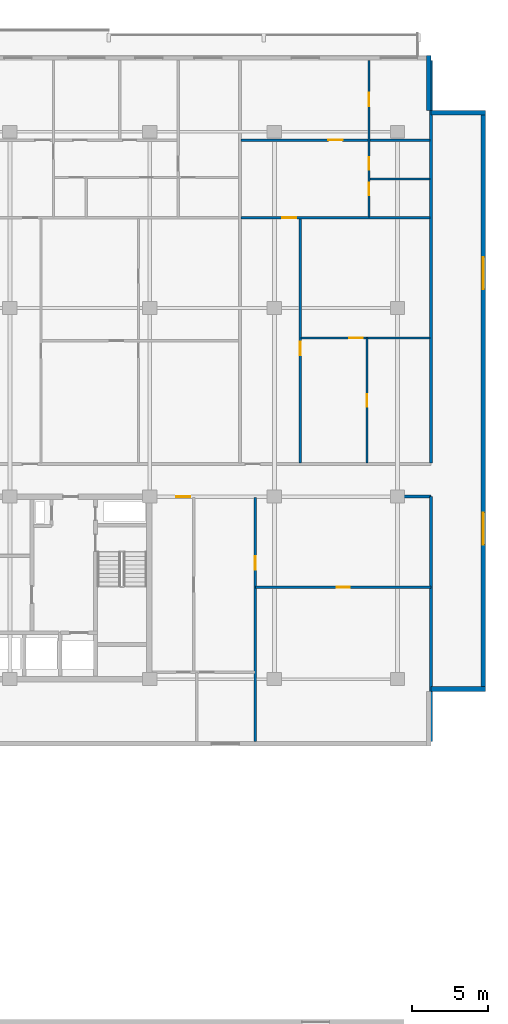
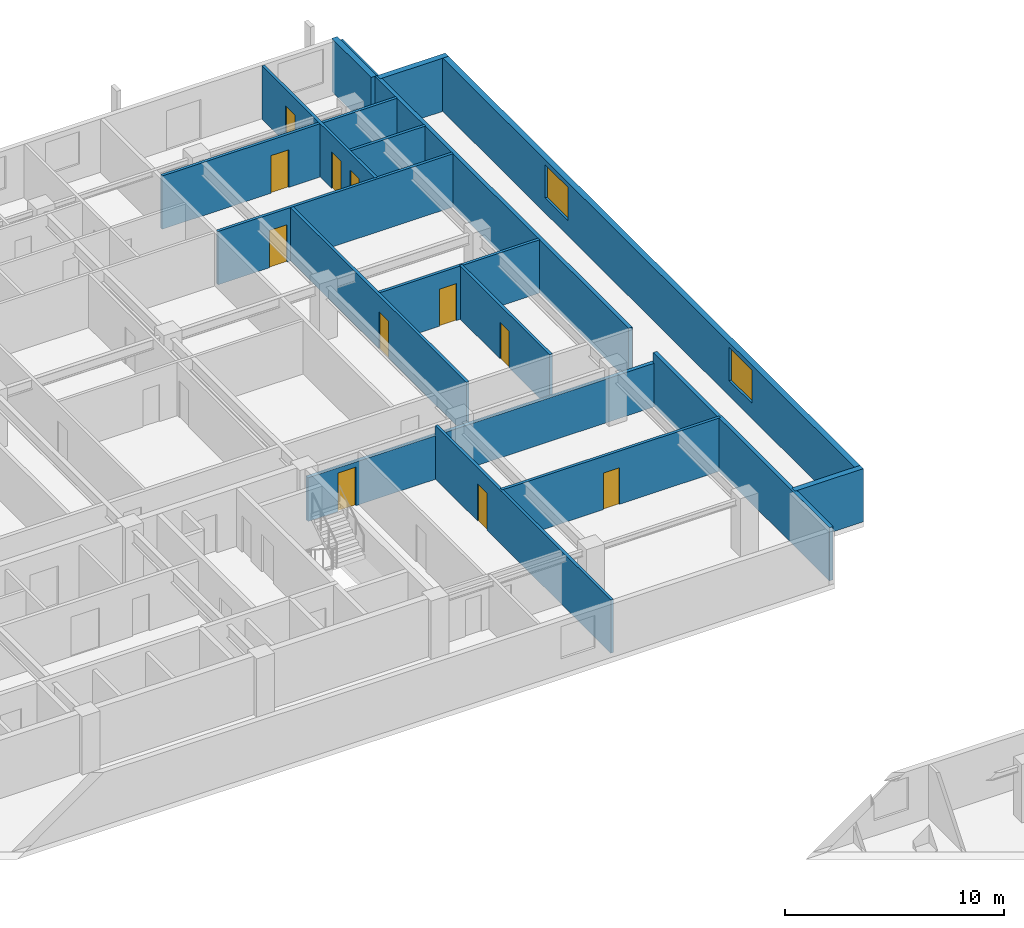
# One storey, part 16 of 22: 16 walls, 11 doors, 2 windows, 13 openings.
"""IFC4 building model written with IfcOpenShell, lengths in metres."""

import ifcopenshell
import ifcopenshell.guid

model = None  # the IFC model being written
_history = None  # IfcOwnerHistory: only IFC2X3 demands one
_inside = {}  # id of a spatial element -> (the spatial element, [elements in it])
_under = {}  # id of a project, library or spatial element -> (it, [spatial elements below it])
_declared = {}  # id of a project -> (the project, [libraries it declares])
_typed = {}  # id of a type object -> (the type object, [elements of that type])
_made_of = {}  # id of a material, layer set ... -> (it, [elements and type objects made of it])


def new_model(schema):
    """Start an empty IFC model of exactly this schema.

    Asked for "IFC4X3", IfcOpenShell would pick the latest addendum, in which some entities
    have other attributes; the version numbers below select the first issue.
    IFC2X3 requires an IfcOwnerHistory on every rooted entity: one is made here for all.
    """
    global model, _history
    if schema == "IFC4X3":
        model = ifcopenshell.file(schema_version=(4, 3, 0, 0))
    else:
        model = ifcopenshell.file(schema=schema)
    _inside.clear()
    _under.clear()
    _declared.clear()
    _typed.clear()
    _made_of.clear()
    _history = None
    if model.schema == "IFC2X3":
        org = make("IfcOrganization", Name="unknown")
        user = make(
            "IfcPersonAndOrganization",
            ThePerson=make("IfcPerson", FamilyName="unknown"),
            TheOrganization=org,
        )
        app = make(
            "IfcApplication",
            ApplicationDeveloper=org,
            Version="unknown",
            ApplicationFullName="unknown",
            ApplicationIdentifier="unknown",
        )
        _history = make(
            "IfcOwnerHistory",
            OwningUser=user,
            OwningApplication=app,
            ChangeAction="ADDED",
            CreationDate=0,
        )
    return model


def make(cls, **values):
    """One entity of the class cls with the attributes given. An attribute that is None is left unset."""
    return model.create_entity(
        cls, **{name: value for name, value in values.items() if value is not None}
    )


def rooted(cls, **values):
    """An entity with a GlobalId (a new one), such as an element, a storey or a relation."""
    return make(cls, GlobalId=ifcopenshell.guid.new(), OwnerHistory=_history, **values)


def si_unit(unit_type, name, prefix=None):
    """IfcSIUnit, for example si_unit("LENGTHUNIT", "METRE", prefix="MILLI")."""
    return make("IfcSIUnit", UnitType=unit_type, Prefix=prefix, Name=name)


def assignment(units):
    """IfcUnitAssignment: the units of a project."""
    return None if units is None else make("IfcUnitAssignment", Units=units)


def point(xyz):
    """IfcCartesianPoint."""
    return None if xyz is None else make("IfcCartesianPoint", Coordinates=xyz)


def direction(xyz):
    """IfcDirection."""
    return None if xyz is None else make("IfcDirection", DirectionRatios=xyz)


def frame(location, z_axis=None, x_axis=None):
    """IfcAxis2Placement3D, a coordinate frame: its origin and axes. An axis left out is left unset."""
    return make(
        "IfcAxis2Placement3D",
        Location=point(location),
        Axis=direction(z_axis),
        RefDirection=direction(x_axis),
    )


def frame_2d(location, x_axis=None):
    """IfcAxis2Placement2D, a coordinate frame in the plane: its origin and x axis."""
    return make(
        "IfcAxis2Placement2D", Location=point(location), RefDirection=direction(x_axis)
    )


def origin():
    """The frame at (0, 0, 0) with its axes left unset."""
    return frame((0.0, 0.0, 0.0))


def place(relative_to, where):
    """IfcLocalPlacement: puts the frame where relative to a parent placement (None: the world)."""
    return make(
        "IfcLocalPlacement", PlacementRelTo=relative_to, RelativePlacement=where
    )


def context(
    kind, dimensions, precision=None, world=None, true_north=None, identifier=None
):
    """IfcGeometricRepresentationContext, for example the 3D "Model" context."""
    return make(
        "IfcGeometricRepresentationContext",
        ContextIdentifier=identifier,
        ContextType=kind,
        CoordinateSpaceDimension=dimensions,
        Precision=precision,
        WorldCoordinateSystem=world,
        TrueNorth=true_north,
    )


def subcontext(parent, identifier, kind, view, scale=None):
    """IfcGeometricRepresentationSubContext, for example "Body" below "Model"."""
    return make(
        "IfcGeometricRepresentationSubContext",
        ContextIdentifier=identifier,
        ContextType=kind,
        ParentContext=parent,
        TargetScale=scale,
        TargetView=view,
    )


def project(units=None, contexts=None):
    """IfcProject with its units and contexts."""
    return rooted(
        "IfcProject",
        Name="project",
        RepresentationContexts=contexts,
        UnitsInContext=assignment(units),
    )


def spatial(cls, under=None, at=None, **own):
    """A site, building, storey or space (cls), placed at a placement, below another one or the project."""
    s = rooted(cls, ObjectPlacement=at, **own)
    if under is not None:
        _under.setdefault(under.id(), (under, []))[1].append(s)
    return s


def profile(cls, at=None, kind="AREA", **sizes):
    """A parametric profile (cls). Its sizes go by their IFC names, for example OverallWidth=200.0."""
    return make(cls, ProfileType=kind, Position=at, **sizes)


def rectangle(**sizes):
    """IfcRectangleProfileDef."""
    return profile("IfcRectangleProfileDef", **sizes)


def extrude(swept, where, along, depth):
    """IfcExtrudedAreaSolid: the profile swept, set in the frame where, extruded along a direction by depth."""
    return make(
        "IfcExtrudedAreaSolid",
        SweptArea=swept,
        Position=where,
        ExtrudedDirection=direction(along),
        Depth=depth,
    )


def shape(context_of_items, identifier, shape_type, items):
    """IfcShapeRepresentation: the items that make up one representation, for example the "Body"."""
    return make(
        "IfcShapeRepresentation",
        ContextOfItems=context_of_items,
        RepresentationIdentifier=identifier,
        RepresentationType=shape_type,
        Items=items,
    )


def material(Name=None, Category=None):
    """IfcMaterial."""
    return make("IfcMaterial", Name=Name, Category=Category)


def layer(
    of_material, thickness, ventilated=None, Name=None, Category=None, Priority=None
):
    """IfcMaterialLayer: one layer of a wall or slab, of a material (None: an air gap)."""
    return make(
        "IfcMaterialLayer",
        Material=of_material,
        LayerThickness=thickness,
        IsVentilated=ventilated,
        Name=Name,
        Category=Category,
        Priority=Priority,
    )


def layer_set(layers, Name=None):
    """IfcMaterialLayerSet."""
    return make("IfcMaterialLayerSet", MaterialLayers=layers, LayerSetName=Name)


def made_of(thing, what):
    """Note that an element or type object is made of a material, layer set ...; save() writes the relation."""
    if what is not None:
        _made_of.setdefault(what.id(), (what, []))[1].append(thing)
    return thing


def type_object(cls, material=None, **own):
    """A type object (cls), such as IfcWallType, which elements share."""
    return made_of(rooted(cls, **own), material)


def element(
    cls,
    number,
    at=None,
    inside=None,
    cuts=None,
    type_object=None,
    material=None,
    context=None,
    identifier="Body",
    shape_type=None,
    held_by="IfcProductDefinitionShape",
    body=None,
    shapes=None,
    **own,
):
    """One element of the class cls, such as IfcWall. Its Tag is "e" and its number.

    at: its placement. inside: the storey or other place that contains it. cuts: it is an
    opening in that element (IfcRelVoidsElement). A single representation is given by context,
    identifier, shape_type and body (its items); several are given by shapes. held_by: the class
    of the entity that holds the representations. save() writes the other relations.
    """
    e = rooted(cls, Tag="e%d" % number, ObjectPlacement=at, **own)
    if body is not None:
        shapes = [shape(context, identifier, shape_type, body)]
    if shapes is not None:
        e.Representation = make(held_by, Representations=shapes)
    if inside is not None:
        _inside.setdefault(inside.id(), (inside, []))[1].append(e)
    if cuts is not None:
        rooted(
            "IfcRelVoidsElement", RelatingBuildingElement=cuts, RelatedOpeningElement=e
        )
    if type_object is not None:
        _typed.setdefault(type_object.id(), (type_object, []))[1].append(e)
    return made_of(e, material)


def fill(opening, filler):
    """IfcRelFillsElement: the door or window that sits in an opening."""
    return rooted(
        "IfcRelFillsElement",
        RelatingOpeningElement=opening,
        RelatedBuildingElement=filler,
    )


def aggregate(whole, parts):
    """IfcRelAggregates: a whole, such as a stair, and the parts it consists of."""
    return rooted("IfcRelAggregates", RelatingObject=whole, RelatedObjects=parts)


def save(model, path):
    """Write the relations noted so far, then the file.

    IfcRelAggregates (storeys below a building ...), IfcRelContainedInSpatialStructure (elements
    in a storey), IfcRelDefinesByType, IfcRelAssociatesMaterial and IfcRelDeclares: one each for
    every whole, place, type object, material and project.
    """
    for whole, parts in _under.values():
        aggregate(whole, parts)
    for where, things in _inside.values():
        rooted(
            "IfcRelContainedInSpatialStructure",
            RelatedElements=things,
            RelatingStructure=where,
        )
    for kind, things in _typed.values():
        rooted("IfcRelDefinesByType", RelatedObjects=things, RelatingType=kind)
    for what, things in _made_of.values():
        rooted("IfcRelAssociatesMaterial", RelatedObjects=things, RelatingMaterial=what)
    for by, libraries in _declared.values():
        rooted("IfcRelDeclares", RelatingContext=by, RelatedDefinitions=libraries)
    model.write(path)


model = new_model("IFC4")

# Units and contexts
model_context = context("Model", 3, precision=1e-05, world=origin(), true_north=direction((0.0, 1.0)))
body_context = subcontext(model_context, "Body", "Model", "MODEL_VIEW")
ifc_project = project(units=[si_unit("LENGTHUNIT", "METRE"), si_unit("AREAUNIT", "SQUARE_METRE"), si_unit("VOLUMEUNIT", "CUBIC_METRE"), si_unit("PLANEANGLEUNIT", "RADIAN"), si_unit("MASSUNIT", "GRAM", prefix="KILO")], contexts=[model_context])

# Site, building, storey
site_placement = place(None, origin())
site = spatial("IfcSite", under=ifc_project, at=site_placement, CompositionType="ELEMENT")
building_placement = place(site_placement, origin())
building = spatial("IfcBuilding", under=site, at=building_placement, Name="Korimba Cascade Residences", CompositionType="ELEMENT")
storey_placement = place(building_placement, frame((0.0, 0.0, 84.050048828125)))
storey = spatial("IfcBuildingStorey", under=building, at=storey_placement, Name="L23", CompositionType="ELEMENT", Elevation=84.050048828125)

# Wall
ifc_material_1 = material(Name="Precast concrete C40/50", Category="concrete")
ifc_layer_1 = layer(ifc_material_1, 0.300048828125)
ifc_layer_set_1 = layer_set([ifc_layer_1], Name="Precast concrete C40/50")
wall_type_1 = type_object("IfcWallType", Name="EW-STONE-300", PredefinedType="STANDARD", material=ifc_layer_set_1)
wall_1_placement = place(storey_placement, frame((130.60009765625, 54.550048828125, 0.0), z_axis=(0.0, 0.0, 1.0), x_axis=(1.0, 0.0, 0.0)))
element("IfcWall", 1, at=wall_1_placement, inside=storey, type_object=wall_type_1, Name="L23 T1 Perimeter Stone Wall E02", PredefinedType="STANDARD", context=body_context, shape_type="SweptSolid", body=[
    extrude(rectangle(XDim=3.599853515625, YDim=0.300048828125, at=frame_2d((1.7998046875, 0.0))), origin(), (0.0, 0.0, 1.0), 2.969970703125),
])

# Wall, openings, windows
wall_2_placement = place(storey_placement, frame((134.050048828125, 54.39990234375, 0.0), z_axis=(0.0, 0.0, 1.0), x_axis=(0.0, 1.0, 0.0)))
wall_2 = element("IfcWall", 2, at=wall_2_placement, inside=storey, type_object=wall_type_1, Name="L23 T1 Perimeter Stone Wall E03", PredefinedType="STANDARD", context=body_context, shape_type="SweptSolid", body=[
    extrude(rectangle(XDim=38.2001953125, YDim=0.300048828125, at=frame_2d((19.10009765625, 0.0))), origin(), (0.0, 0.0, 1.0), 2.969970703125),
])
opening_1_placement = place(wall_2_placement, frame((9.64599609375, 0.0, 0.85009765625)))
opening_1 = element("IfcOpeningElement", 3, at=opening_1_placement, cuts=wall_2, Name="Opening W-03", PredefinedType="OPENING", context=body_context, shape_type="SweptSolid", body=[
    extrude(rectangle(XDim=2.10009765625, YDim=1.85009765625, at=frame_2d((1.050048828125, 0.925048828125))), frame((0.0, 0.16015625, 0.0), z_axis=(0.0, -1.0, 0.0), x_axis=(1.0, 0.0, 0.0)), (0.0, 0.0, 1.0), 0.320068359375),
])
opening_2_placement = place(wall_2_placement, frame((26.4541015625, 0.0, 0.85009765625)))
opening_2 = element("IfcOpeningElement", 4, at=opening_2_placement, cuts=wall_2, Name="Opening W-03", PredefinedType="OPENING", context=body_context, shape_type="SweptSolid", body=[
    extrude(rectangle(XDim=2.10009765625, YDim=1.85009765625, at=frame_2d((1.050048828125, 0.925048828125))), frame((0.0, 0.16015625, 0.0), z_axis=(0.0, -1.0, 0.0), x_axis=(1.0, 0.0, 0.0)), (0.0, 0.0, 1.0), 0.320068359375),
])
ifc_material_2 = material(Name="Double-Glazed Aluminium Window", Category="aluminium")
window_type = type_object("IfcWindowType", Name="WIN-CRN-2100", PartitioningType="DOUBLE_PANEL_HORIZONTAL", PredefinedType="WINDOW", material=ifc_material_2)
window_1_placement = place(opening_1_placement, origin())
window_1 = element("IfcWindow", 5, at=window_1_placement, inside=storey, type_object=window_type, Name="L23 T1 End View Window 3.1", OverallHeight=1.85009765625, OverallWidth=2.10009765625, PartitioningType="DOUBLE_PANEL_HORIZONTAL", PredefinedType="WINDOW", context=body_context, shape_type="SweptSolid", body=[
    extrude(rectangle(XDim=2.10009765625, YDim=1.85009765625, at=frame_2d((1.050048828125, 0.925048828125))), frame((0.0, 0.030029296875, 0.0), z_axis=(0.0, -1.0, 0.0), x_axis=(1.0, 0.0, 0.0)), (0.0, 0.0, 1.0), 0.06005859375),
])
fill(opening_1, window_1)
window_2_placement = place(opening_2_placement, origin())
window_2 = element("IfcWindow", 6, at=window_2_placement, inside=storey, type_object=window_type, Name="L23 T1 End View Window 3.2", OverallHeight=1.85009765625, OverallWidth=2.10009765625, PartitioningType="DOUBLE_PANEL_HORIZONTAL", PredefinedType="WINDOW", context=body_context, shape_type="SweptSolid", body=[
    extrude(rectangle(XDim=2.10009765625, YDim=1.85009765625, at=frame_2d((1.050048828125, 0.925048828125))), frame((0.0, 0.030029296875, 0.0), z_axis=(0.0, -1.0, 0.0), x_axis=(1.0, 0.0, 0.0)), (0.0, 0.0, 1.0), 0.06005859375),
])
fill(opening_2, window_2)

# Walls
for number, where, z_axis, x_axis, name in (
    (7, (134.199951171875, 92.449951171875, 0.0), (0.0, 0.0, 1.0), (-1.0, 0.0, 0.0), "L23 T1 Perimeter Stone Wall E04"),
    (8, (130.449951171875, 92.60009765625, 0.0), (0.0, 0.0, 1.0), (0.0, 1.0, 0.0), "L23 T1 Perimeter Stone Wall E05"),
):
    element("IfcWall", number, at=place(storey_placement, frame(where, z_axis=z_axis, x_axis=x_axis)), inside=storey, type_object=wall_type_1, Name=name, PredefinedType="STANDARD", context=body_context, shape_type="SweptSolid", body=[
        extrude(rectangle(XDim=3.599853515625, YDim=0.300048828125, at=frame_2d((1.7998046875, 0.0))), origin(), (0.0, 0.0, 1.0), 2.969970703125),
    ])
ifc_layer_2 = layer(ifc_material_1, 0.199951171875)
ifc_layer_set_2 = layer_set([ifc_layer_2], Name="Precast concrete C40/50")
wall_type_2 = type_object("IfcWallType", Name="WAL-IT-200", PredefinedType="PARTITIONING", material=ifc_layer_set_2)
wall_3_placement = place(storey_placement, frame((130.60009765625, 51.10009765625, 0.0), z_axis=(0.0, 0.0, 1.0), x_axis=(0.0, 1.0, 0.0)))
element("IfcWall", 9, at=wall_3_placement, inside=storey, type_object=wall_type_2, Name="L23 Partition Wall WAL-L23-T1-FE-WR", PredefinedType="PARTITIONING", context=body_context, shape_type="SweptSolid", body=[
    extrude(rectangle(XDim=16.099853515625, YDim=0.199951171875, at=frame_2d((8.0498046875, 0.0))), origin(), (0.0, 0.0, 1.0), 2.969970703125),
])

# Wall, opening, door
wall_4_placement = place(storey_placement, frame((112.25, 67.199951171875, 0.0), z_axis=(0.0, 0.0, 1.0), x_axis=(1.0, 0.0, 0.0)))
wall_4 = element("IfcWall", 10, at=wall_4_placement, inside=storey, type_object=wall_type_2, Name="L23 Partition Wall WAL-L23-T1-FE-N", PredefinedType="PARTITIONING", context=body_context, shape_type="SweptSolid", body=[
    extrude(rectangle(XDim=18.35009765625, YDim=0.199951171875, at=frame_2d((9.175048828125, 0.0))), origin(), (0.0, 0.0, 1.0), 2.433349609375),
])
opening_3_placement = place(wall_4_placement, frame((1.580078125, 0.0, 0.0)))
opening_3 = element("IfcOpeningElement", 11, at=opening_3_placement, cuts=wall_4, Name="Opening D-UN1", PredefinedType="OPENING", context=body_context, shape_type="SweptSolid", body=[
    extrude(rectangle(XDim=0.949951171875, YDim=2.14990234375, at=frame_2d((0.47509765625, 1.074951171875))), frame((0.0, 0.10986328125, 0.0), z_axis=(0.0, -1.0, 0.0), x_axis=(1.0, 0.0, 0.0)), (0.0, 0.0, 1.0), 0.219970703125),
])
ifc_material_3 = material(Name="Fire-Rated Hardwood Apartment Entrance Door", Category="wood")
door_type_1 = type_object("IfcDoorType", Name="DR-FD60-950", OperationType="NOTDEFINED", PredefinedType="DOOR", material=ifc_material_3)
door_1_placement = place(opening_3_placement, origin())
door_1 = element("IfcDoor", 12, at=door_1_placement, inside=storey, type_object=door_type_1, Name="L23-T1-FE Entrance Door", OperationType="SINGLE_SWING_LEFT", OverallHeight=2.14990234375, OverallWidth=0.949951171875, PredefinedType="DOOR", context=body_context, shape_type="SweptSolid", body=[
    extrude(rectangle(XDim=0.949951171875, YDim=2.14990234375, at=frame_2d((0.47509765625, 1.074951171875))), frame((0.0, 0.02490234375, 0.0), z_axis=(0.0, -1.0, 0.0), x_axis=(1.0, 0.0, 0.0)), (0.0, 0.0, 1.0), 0.050048828125),
])
fill(opening_3, door_1)

# Wall
wall_5_placement = place(storey_placement, frame((130.60009765625, 69.429931640625, 0.0), z_axis=(0.0, 0.0, 1.0), x_axis=(0.0, 1.0, 0.0)))
element("IfcWall", 13, at=wall_5_placement, inside=storey, type_object=wall_type_2, Name="L23 Partition Wall WAL-L23-T1-BNDWR", PredefinedType="PARTITIONING", context=body_context, shape_type="SweptSolid", body=[
    extrude(rectangle(XDim=26.469970703125, YDim=0.199951171875, at=frame_2d((13.23486328125, 0.0))), origin(), (0.0, 0.0, 1.0), 2.969970703125),
])

# Wall, opening, door
ifc_material_4 = material(Name="Insulated Acoustic Stud Partition", Category="gypsum")
ifc_layer_3 = layer(ifc_material_4, 0.14990234375)
ifc_layer_set_3 = layer_set([ifc_layer_3], Name="Insulated Acoustic Stud Partition")
wall_type_3 = type_object("IfcWallType", Name="WAL-PART-150", PredefinedType="PARTITIONING", material=ifc_layer_set_3)
wall_6_placement = place(storey_placement, frame((119.050048828125, 61.25, 0.0), z_axis=(0.0, 0.0, 1.0), x_axis=(1.0, 0.0, 0.0)))
wall_6 = element("IfcWall", 14, at=wall_6_placement, inside=storey, type_object=wall_type_3, Name="L23 Partition Wall WAL-L23-T1-FE-STH", PredefinedType="PARTITIONING", context=body_context, shape_type="SweptSolid", body=[
    extrude(rectangle(XDim=11.550048828125, YDim=0.14990234375, at=frame_2d((5.77490234375, 0.0))), origin(), (0.0, 0.0, 1.0), 2.969970703125),
])
opening_4_placement = place(wall_6_placement, frame((5.35498046875, 0.0, 0.0)))
opening_4 = element("IfcOpeningElement", 15, at=opening_4_placement, cuts=wall_6, Name="Opening D-BT1", PredefinedType="OPENING", context=body_context, shape_type="SweptSolid", body=[
    extrude(rectangle(XDim=0.840087890625, YDim=2.0400390625, at=frame_2d((0.419921875, 1.02001953125))), frame((0.0, 0.0849609375, 0.0), z_axis=(0.0, -1.0, 0.0), x_axis=(1.0, 0.0, 0.0)), (0.0, 0.0, 1.0), 0.169921875),
])
ifc_material_5 = material(Name="Moisture-Resistant Bathroom Timber Door", Category="wood")
door_type_2 = type_object("IfcDoorType", Name="DR-INT-850", OperationType="NOTDEFINED", PredefinedType="DOOR", material=ifc_material_5)
door_2_placement = place(opening_4_placement, origin())
door_2 = element("IfcDoor", 16, at=door_2_placement, inside=storey, type_object=door_type_2, Name="L23-T1-FE Dressing Store Door", OperationType="SINGLE_SWING_RIGHT", OverallHeight=2.0400390625, OverallWidth=0.840087890625, PredefinedType="DOOR", context=body_context, shape_type="SweptSolid", body=[
    extrude(rectangle(XDim=0.840087890625, YDim=2.0400390625, at=frame_2d((0.419921875, 1.02001953125))), frame((0.0, 0.02490234375, 0.0), z_axis=(0.0, -1.0, 0.0), x_axis=(1.0, 0.0, 0.0)), (0.0, 0.0, 1.0), 0.050048828125),
])
fill(opening_4, door_2)

wall_7_placement = place(storey_placement, frame((119.050048828125, 51.10009765625, 0.0), z_axis=(0.0, 0.0, 1.0), x_axis=(0.0, 1.0, 0.0)))
wall_7 = element("IfcWall", 17, at=wall_7_placement, inside=storey, type_object=wall_type_3, Name="L23 Partition Wall WAL-L23-T1-FE-STV", PredefinedType="PARTITIONING", context=body_context, shape_type="SweptSolid", body=[
    extrude(rectangle(XDim=16.0498046875, YDim=0.14990234375, at=frame_2d((8.02490234375, 0.0))), origin(), (0.0, 0.0, 1.0), 2.969970703125),
])
opening_5_placement = place(wall_7_placement, frame((11.300048828125, 0.0, 0.0)))
opening_5 = element("IfcOpeningElement", 18, at=opening_5_placement, cuts=wall_7, Name="Opening D-IN2", PredefinedType="OPENING", context=body_context, shape_type="SweptSolid", body=[
    extrude(rectangle(XDim=0.8798828125, YDim=2.06005859375, at=frame_2d((0.43994140625, 1.030029296875))), frame((0.0, 0.0849609375, 0.0), z_axis=(0.0, -1.0, 0.0), x_axis=(1.0, 0.0, 0.0)), (0.0, 0.0, 1.0), 0.169921875),
])
ifc_material_6 = material(Name="Acoustic Timber Bedroom Door", Category="wood")
door_type_3 = type_object("IfcDoorType", Name="DR-INT-880", OperationType="NOTDEFINED", PredefinedType="DOOR", material=ifc_material_6)
door_3_placement = place(opening_5_placement, origin())
door_3 = element("IfcDoor", 19, at=door_3_placement, inside=storey, type_object=door_type_3, Name="L23-T1-FE Study Door", OperationType="SINGLE_SWING_LEFT", OverallHeight=2.06005859375, OverallWidth=0.8798828125, PredefinedType="DOOR", context=body_context, shape_type="SweptSolid", body=[
    extrude(rectangle(XDim=0.8798828125, YDim=2.06005859375, at=frame_2d((0.43994140625, 1.030029296875))), frame((0.0, 0.02490234375, 0.0), z_axis=(0.0, -1.0, 0.0), x_axis=(1.0, 0.0, 0.0)), (0.0, 0.0, 1.0), 0.050048828125),
])
fill(opening_5, door_3)

wall_8_placement = place(storey_placement, frame((126.3916015625, 69.409912109375, 0.0), z_axis=(0.0, 0.0, 1.0), x_axis=(0.0, 1.0, 0.0)))
wall_8 = element("IfcWall", 20, at=wall_8_placement, inside=storey, type_object=wall_type_3, Name="L23 Partition Wall WAL-L23-T1-U05-FMV", PredefinedType="PARTITIONING", context=body_context, shape_type="SweptSolid", body=[
    extrude(rectangle(XDim=8.22998046875, YDim=0.14990234375, at=frame_2d((4.114990234375, 0.0))), origin(), (0.0, 0.0, 1.0), 2.969970703125),
])
opening_6_placement = place(wall_8_placement, frame((3.695068359375, 0.0, 0.0)))
opening_6 = element("IfcOpeningElement", 21, at=opening_6_placement, cuts=wall_8, Name="Opening D-BT1", PredefinedType="OPENING", context=body_context, shape_type="SweptSolid", body=[
    extrude(rectangle(XDim=0.840087890625, YDim=2.0400390625, at=frame_2d((0.419921875, 1.02001953125))), frame((0.0, 0.0849609375, 0.0), z_axis=(0.0, -1.0, 0.0), x_axis=(1.0, 0.0, 0.0)), (0.0, 0.0, 1.0), 0.169921875),
])
door_4_placement = place(opening_6_placement, origin())
door_4 = element("IfcDoor", 22, at=door_4_placement, inside=storey, type_object=door_type_2, Name="L23-T1-U05 Wardrobe Door", OperationType="SINGLE_SWING_RIGHT", OverallHeight=2.0400390625, OverallWidth=0.840087890625, PredefinedType="DOOR", context=body_context, shape_type="SweptSolid", body=[
    extrude(rectangle(XDim=0.840087890625, YDim=2.0400390625, at=frame_2d((0.419921875, 1.02001953125))), frame((0.0, 0.02490234375, 0.0), z_axis=(0.0, -1.0, 0.0), x_axis=(1.0, 0.0, 0.0)), (0.0, 0.0, 1.0), 0.050048828125),
])
fill(opening_6, door_4)

wall_9_placement = place(storey_placement, frame((122.0634765625, 77.639892578125, 0.0), z_axis=(0.0, 0.0, 1.0), x_axis=(1.0, 0.0, 0.0)))
wall_9 = element("IfcWall", 23, at=wall_9_placement, inside=storey, type_object=wall_type_3, Name="L23 Partition Wall WAL-L23-T1-U05-FMH", PredefinedType="PARTITIONING", context=body_context, shape_type="SweptSolid", body=[
    extrude(rectangle(XDim=8.45654296875, YDim=0.14990234375, at=frame_2d((4.228271484375, 0.0))), origin(), (0.0, 0.0, 1.0), 2.969970703125),
])
opening_7_placement = place(wall_9_placement, frame((3.170654296875, 0.0, 0.0)))
opening_7 = element("IfcOpeningElement", 24, at=opening_7_placement, cuts=wall_9, Name="Opening D-IN2", PredefinedType="OPENING", context=body_context, shape_type="SweptSolid", body=[
    extrude(rectangle(XDim=0.8798828125, YDim=2.06005859375, at=frame_2d((0.43994140625, 1.030029296875))), frame((0.0, 0.0849609375, 0.0), z_axis=(0.0, -1.0, 0.0), x_axis=(1.0, 0.0, 0.0)), (0.0, 0.0, 1.0), 0.169921875),
])
door_5_placement = place(opening_7_placement, origin())
door_5 = element("IfcDoor", 25, at=door_5_placement, inside=storey, type_object=door_type_3, Name="L23-T1-U05 Library Salon Door", OperationType="SINGLE_SWING_LEFT", OverallHeight=2.06005859375, OverallWidth=0.8798828125, PredefinedType="DOOR", context=body_context, shape_type="SweptSolid", body=[
    extrude(rectangle(XDim=0.8798828125, YDim=2.06005859375, at=frame_2d((0.43994140625, 1.030029296875))), frame((0.0, 0.02490234375, 0.0), z_axis=(0.0, -1.0, 0.0), x_axis=(1.0, 0.0, 0.0)), (0.0, 0.0, 1.0), 0.050048828125),
])
fill(opening_7, door_5)

wall_10_placement = place(storey_placement, frame((122.00341796875, 69.409912109375, 0.0), z_axis=(0.0, 0.0, 1.0), x_axis=(0.0, 1.0, 0.0)))
wall_10 = element("IfcWall", 26, at=wall_10_placement, inside=storey, type_object=wall_type_3, Name="L23 Partition Wall WAL-L23-T1-U05-FV", PredefinedType="PARTITIONING", context=body_context, shape_type="SweptSolid", body=[
    extrude(rectangle(XDim=16.10009765625, YDim=0.14990234375, at=frame_2d((8.050048828125, 0.0))), origin(), (0.0, 0.0, 1.0), 2.969970703125),
])
opening_8_placement = place(wall_10_placement, frame((7.10009765625, 0.0, 0.0)))
opening_8 = element("IfcOpeningElement", 27, at=opening_8_placement, cuts=wall_10, Name="Opening D-IN2", PredefinedType="OPENING", context=body_context, shape_type="SweptSolid", body=[
    extrude(rectangle(XDim=0.8798828125, YDim=2.06005859375, at=frame_2d((0.43994140625, 1.030029296875))), frame((0.0, 0.0849609375, 0.0), z_axis=(0.0, -1.0, 0.0), x_axis=(1.0, 0.0, 0.0)), (0.0, 0.0, 1.0), 0.169921875),
])
door_6_placement = place(opening_8_placement, origin())
door_6 = element("IfcDoor", 28, at=door_6_placement, inside=storey, type_object=door_type_3, Name="L23-T1-U05 Media Lounge Door", OperationType="SINGLE_SWING_RIGHT", OverallHeight=2.06005859375, OverallWidth=0.8798828125, PredefinedType="DOOR", context=body_context, shape_type="SweptSolid", body=[
    extrude(rectangle(XDim=0.8798828125, YDim=2.06005859375, at=frame_2d((0.43994140625, 1.030029296875))), frame((0.0, 0.02490234375, 0.0), z_axis=(0.0, -1.0, 0.0), x_axis=(1.0, 0.0, 0.0)), (0.0, 0.0, 1.0), 0.050048828125),
])
fill(opening_8, door_6)

# Wall
wall_11_placement = place(storey_placement, frame((126.580078125, 88.090087890625, 0.0), z_axis=(0.0, 0.0, 1.0), x_axis=(1.0, 0.0, 0.0)))
element("IfcWall", 29, at=wall_11_placement, inside=storey, type_object=wall_type_3, Name="L23 Partition Wall WAL-L23-T1-U05-BLDIV", PredefinedType="PARTITIONING", context=body_context, shape_type="SweptSolid", body=[
    extrude(rectangle(XDim=3.93994140625, YDim=0.14990234375, at=frame_2d((1.969970703125, 0.0))), origin(), (0.0, 0.0, 1.0), 2.969970703125),
])

# Wall, openings, doors
wall_12_placement = place(storey_placement, frame((126.52001953125, 85.590087890625, 0.0), z_axis=(0.0, 0.0, 1.0), x_axis=(0.0, 1.0, 0.0)))
wall_12 = element("IfcWall", 30, at=wall_12_placement, inside=storey, type_object=wall_type_3, Name="L23 Partition Wall WAL-L23-T1-U05-V1", PredefinedType="PARTITIONING", context=body_context, shape_type="SweptSolid", body=[
    extrude(rectangle(XDim=10.309814453125, YDim=0.14990234375, at=frame_2d((5.15478515625, 0.0))), origin(), (0.0, 0.0, 1.0), 2.969970703125),
])
opening_9_placement = place(wall_12_placement, frame((1.430419921875, 0.0, 0.0)))
opening_9 = element("IfcOpeningElement", 31, at=opening_9_placement, cuts=wall_12, Name="Opening D-BT1", PredefinedType="OPENING", context=body_context, shape_type="SweptSolid", body=[
    extrude(rectangle(XDim=0.840087890625, YDim=2.0400390625, at=frame_2d((0.419921875, 1.02001953125))), frame((0.0, 0.0849609375, 0.0), z_axis=(0.0, -1.0, 0.0), x_axis=(1.0, 0.0, 0.0)), (0.0, 0.0, 1.0), 0.169921875),
])
opening_10_placement = place(wall_12_placement, frame((3.1015625, 0.0, 0.0)))
opening_10 = element("IfcOpeningElement", 32, at=opening_10_placement, cuts=wall_12, Name="Opening D-BT1", PredefinedType="OPENING", context=body_context, shape_type="SweptSolid", body=[
    extrude(rectangle(XDim=0.840087890625, YDim=2.0400390625, at=frame_2d((0.419921875, 1.02001953125))), frame((0.0, 0.0849609375, 0.0), z_axis=(0.0, -1.0, 0.0), x_axis=(1.0, 0.0, 0.0)), (0.0, 0.0, 1.0), 0.169921875),
])
opening_11_placement = place(wall_12_placement, frame((7.28955078125, 0.0, 0.0)))
opening_11 = element("IfcOpeningElement", 33, at=opening_11_placement, cuts=wall_12, Name="Opening D-IN2", PredefinedType="OPENING", context=body_context, shape_type="SweptSolid", body=[
    extrude(rectangle(XDim=0.8798828125, YDim=2.06005859375, at=frame_2d((0.43994140625, 1.030029296875))), frame((0.0, 0.0849609375, 0.0), z_axis=(0.0, -1.0, 0.0), x_axis=(1.0, 0.0, 0.0)), (0.0, 0.0, 1.0), 0.169921875),
])
door_7_placement = place(opening_9_placement, origin())
door_7 = element("IfcDoor", 34, at=door_7_placement, inside=storey, type_object=door_type_2, Name="L23-T1-U05 Bathroom Door", OperationType="SINGLE_SWING_LEFT", OverallHeight=2.0400390625, OverallWidth=0.840087890625, PredefinedType="DOOR", context=body_context, shape_type="SweptSolid", body=[
    extrude(rectangle(XDim=0.840087890625, YDim=2.0400390625, at=frame_2d((0.419921875, 1.02001953125))), frame((0.0, 0.02490234375, 0.0), z_axis=(0.0, -1.0, 0.0), x_axis=(1.0, 0.0, 0.0)), (0.0, 0.0, 1.0), 0.050048828125),
])
fill(opening_9, door_7)
door_8_placement = place(opening_10_placement, origin())
door_8 = element("IfcDoor", 35, at=door_8_placement, inside=storey, type_object=door_type_2, Name="L23-T1-U05 Laundry Door", OperationType="SINGLE_SWING_RIGHT", OverallHeight=2.0400390625, OverallWidth=0.840087890625, PredefinedType="DOOR", context=body_context, shape_type="SweptSolid", body=[
    extrude(rectangle(XDim=0.840087890625, YDim=2.0400390625, at=frame_2d((0.419921875, 1.02001953125))), frame((0.0, 0.02490234375, 0.0), z_axis=(0.0, -1.0, 0.0), x_axis=(1.0, 0.0, 0.0)), (0.0, 0.0, 1.0), 0.050048828125),
])
fill(opening_10, door_8)
door_9_placement = place(opening_11_placement, origin())
door_9 = element("IfcDoor", 36, at=door_9_placement, inside=storey, type_object=door_type_3, Name="L23-T1-U05 Bedroom 1 Door", OperationType="SINGLE_SWING_LEFT", OverallHeight=2.06005859375, OverallWidth=0.8798828125, PredefinedType="DOOR", context=body_context, shape_type="SweptSolid", body=[
    extrude(rectangle(XDim=0.8798828125, YDim=2.06005859375, at=frame_2d((0.43994140625, 1.030029296875))), frame((0.0, 0.02490234375, 0.0), z_axis=(0.0, -1.0, 0.0), x_axis=(1.0, 0.0, 0.0)), (0.0, 0.0, 1.0), 0.050048828125),
])
fill(opening_11, door_9)

# Wall, opening, door
wall_13_placement = place(storey_placement, frame((118.11328125, 85.550048828125, 0.0), z_axis=(0.0, 0.0, 1.0), x_axis=(1.0, 0.0, 0.0)))
wall_13 = element("IfcWall", 37, at=wall_13_placement, inside=storey, type_object=wall_type_3, Name="L23 Partition Wall WAL-L23-T1-U05-MW", PredefinedType="PARTITIONING", context=body_context, shape_type="SweptSolid", body=[
    extrude(rectangle(XDim=12.40673828125, YDim=0.14990234375, at=frame_2d((6.203369140625, 0.0))), origin(), (0.0, 0.0, 1.0), 2.969970703125),
])
opening_12_placement = place(wall_13_placement, frame((2.719970703125, 0.0, 0.0)))
opening_12 = element("IfcOpeningElement", 38, at=opening_12_placement, cuts=wall_13, Name="Opening D-IN1", PredefinedType="OPENING", context=body_context, shape_type="SweptSolid", body=[
    extrude(rectangle(XDim=0.919921875, YDim=2.080078125, at=frame_2d((0.4599609375, 1.0400390625))), frame((0.0, 0.0849609375, 0.0), z_axis=(0.0, -1.0, 0.0), x_axis=(1.0, 0.0, 0.0)), (0.0, 0.0, 1.0), 0.169921875),
])
ifc_material_7 = material(Name="Acoustic Timber Living Door", Category="wood")
door_type_4 = type_object("IfcDoorType", Name="DR-INT-920", OperationType="NOTDEFINED", PredefinedType="DOOR", material=ifc_material_7)
door_10_placement = place(opening_12_placement, origin())
door_10 = element("IfcDoor", 39, at=door_10_placement, inside=storey, type_object=door_type_4, Name="L23-T1-U05 Kitchen Archway Door", OperationType="SINGLE_SWING_RIGHT", OverallHeight=2.080078125, OverallWidth=0.919921875, PredefinedType="DOOR", context=body_context, shape_type="SweptSolid", body=[
    extrude(rectangle(XDim=0.919921875, YDim=2.080078125, at=frame_2d((0.4599609375, 1.0400390625))), frame((0.0, 0.02490234375, 0.0), z_axis=(0.0, -1.0, 0.0), x_axis=(1.0, 0.0, 0.0)), (0.0, 0.0, 1.0), 0.050048828125),
])
fill(opening_12, door_10)

wall_14_placement = place(storey_placement, frame((118.11328125, 90.64990234375, 0.0), z_axis=(0.0, 0.0, 1.0), x_axis=(1.0, 0.0, 0.0)))
wall_14 = element("IfcWall", 40, at=wall_14_placement, inside=storey, type_object=wall_type_3, Name="L23 Partition Wall WAL-L23-T1-U05-HZ", PredefinedType="PARTITIONING", context=body_context, shape_type="SweptSolid", body=[
    extrude(rectangle(XDim=12.40673828125, YDim=0.14990234375, at=frame_2d((6.203369140625, 0.0))), origin(), (0.0, 0.0, 1.0), 2.969970703125),
])
opening_13_placement = place(wall_14_placement, frame((5.7333984375, 0.0, 0.0)))
opening_13 = element("IfcOpeningElement", 41, at=opening_13_placement, cuts=wall_14, Name="Opening D-IN0", PredefinedType="OPENING", context=body_context, shape_type="SweptSolid", body=[
    extrude(rectangle(XDim=0.93994140625, YDim=2.10009765625, at=frame_2d((0.469970703125, 1.050048828125))), frame((0.0, 0.0849609375, 0.0), z_axis=(0.0, -1.0, 0.0), x_axis=(1.0, 0.0, 0.0)), (0.0, 0.0, 1.0), 0.169921875),
])
ifc_material_8 = material(Name="Acoustic Timber Living Archway Door", Category="wood")
door_type_5 = type_object("IfcDoorType", Name="DR-INT-950", OperationType="NOTDEFINED", PredefinedType="DOOR", material=ifc_material_8)
door_11_placement = place(opening_13_placement, origin())
door_11 = element("IfcDoor", 42, at=door_11_placement, inside=storey, type_object=door_type_5, Name="L23-T1-U05 Living Archway Door", OperationType="SINGLE_SWING_LEFT", OverallHeight=2.10009765625, OverallWidth=0.93994140625, PredefinedType="DOOR", context=body_context, shape_type="SweptSolid", body=[
    extrude(rectangle(XDim=0.93994140625, YDim=2.10009765625, at=frame_2d((0.469970703125, 1.050048828125))), frame((0.0, 0.02490234375, 0.0), z_axis=(0.0, -1.0, 0.0), x_axis=(1.0, 0.0, 0.0)), (0.0, 0.0, 1.0), 0.050048828125),
])
fill(opening_13, door_11)

save(model, "model.ifc")
